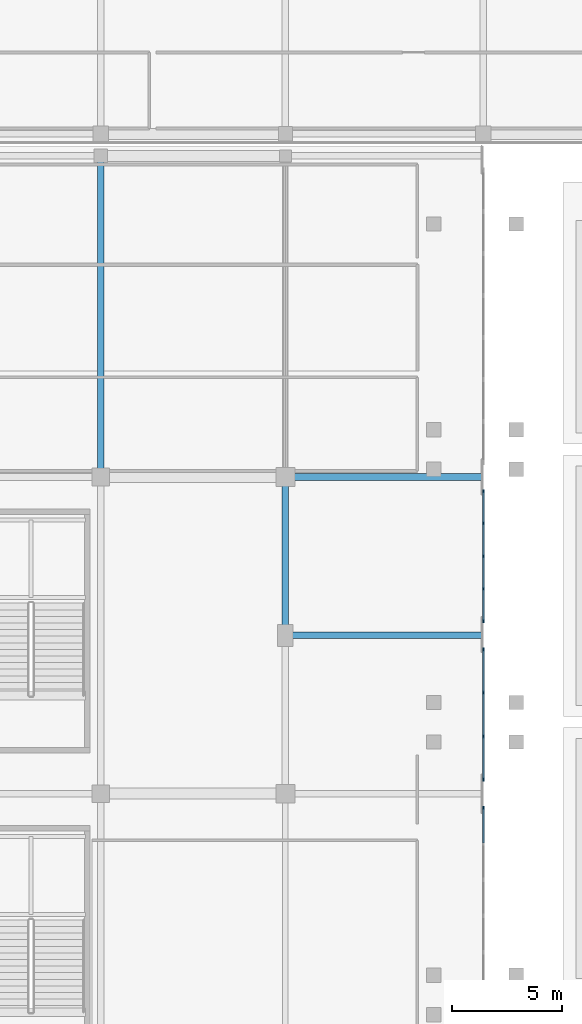
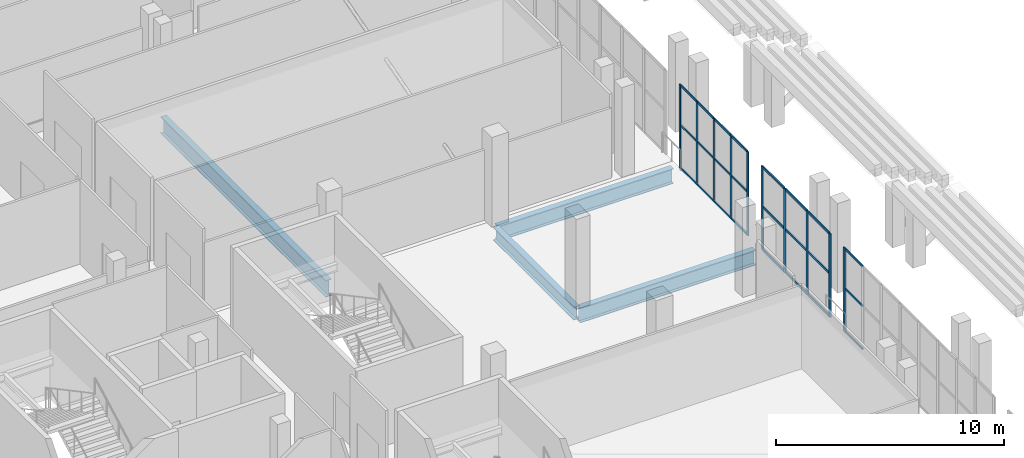
# One storey, part 36 of 142: 34 members, 4 beams, 3 elements without a shape of their own.
"""IFC4 building model written with IfcOpenShell, lengths in metres."""

from ifc_helpers import new_model, si_unit, direction, frame, origin, origin_2d, place, context, subcontext, project, spatial, rectangle, i_section, extrude, material, material_profile, profile_set, type_object, element, aggregate, save


model = new_model("IFC4")

# Units and contexts
model_context = context("Model", 3, precision=1e-05, world=origin(), true_north=direction((0.0, 1.0)))
body_context = subcontext(model_context, "Body", "Model", "MODEL_VIEW")
ifc_project = project(units=[si_unit("LENGTHUNIT", "METRE"), si_unit("AREAUNIT", "SQUARE_METRE"), si_unit("VOLUMEUNIT", "CUBIC_METRE"), si_unit("PLANEANGLEUNIT", "RADIAN"), si_unit("MASSUNIT", "GRAM", prefix="KILO")], contexts=[model_context])

# Site, building, storey
site_placement = place(None, origin())
site = spatial("IfcSite", under=ifc_project, at=site_placement, CompositionType="ELEMENT")
building_placement = place(site_placement, origin())
building = spatial("IfcBuilding", under=site, at=building_placement, Name="Koshinbarg Plaza Stadium", CompositionType="ELEMENT")
storey_placement = place(building_placement, frame((0.0, 0.0, 10.199951171875)))
storey = spatial("IfcBuildingStorey", under=building, at=storey_placement, Name="L02", CompositionType="ELEMENT", Elevation=10.199951171875)

# Beams
ifc_material_1 = material(Name="Steel S355", Category="steel")
ifc_material_profile_1 = material_profile(ifc_material_1, i_section(OverallWidth=0.300048828125, OverallDepth=0.699951171875, WebThickness=0.01708984375, FlangeThickness=0.031982421875, at=origin_2d()), Name="HEB 700")
ifc_profile_set_1 = profile_set([ifc_material_profile_1], Name="Steel S355")
beam_type_1 = type_object("IfcBeamType", Name="BM-SGIR-03", PredefinedType="USERDEFINED", material=ifc_profile_set_1)
beam_1_placement = place(storey_placement, frame((54.60009765625, 104.760009765625, -0.64990234375), z_axis=(0.0, 1.0, 0.0), x_axis=(-1.0, 0.0, 0.0)))
element("IfcBeam", 1, at=beam_1_placement, inside=storey, type_object=beam_type_1, Name="L02 Y girder 8/P-Q", ObjectType="GIRDER", PredefinedType="USERDEFINED", context=body_context, shape_type="SweptSolid", body=[
    extrude(i_section(OverallWidth=0.300048828125, OverallDepth=0.699951171875, WebThickness=0.01708984375, FlangeThickness=0.031982421875, at=origin_2d()), origin(), (0.0, 0.0, 1.0), 7.080078125),
])
ifc_material_profile_2 = material_profile(ifc_material_1, i_section(OverallWidth=0.300048828125, OverallDepth=0.800048828125, WebThickness=0.017578125, FlangeThickness=0.032958984375, at=origin_2d()), Name="HEB 800")
ifc_profile_set_2 = profile_set([ifc_material_profile_2], Name="Steel S355")
beam_type_2 = type_object("IfcBeamType", Name="BM-SGIR-04", PredefinedType="USERDEFINED", material=ifc_profile_set_2)
for number, where, z_axis, x_axis, name in (
    (2, (54.659912109375, 104.699951171875, -0.699951171875), (1.0, 0.0, 0.0), (0.0, 1.0, 0.0), "L02 X girder P/8-9"),
    (3, (54.659912109375, 111.89990234375, -0.699951171875), (1.0, 0.0, 0.0), (0.0, 1.0, 0.0), "L02 X girder Q/8-9"),
):
    element("IfcBeam", number, at=place(storey_placement, frame(where, z_axis=z_axis, x_axis=x_axis)), inside=storey, type_object=beam_type_2, Name=name, ObjectType="GIRDER", PredefinedType="USERDEFINED", context=body_context, shape_type="SweptSolid", body=[
        extrude(i_section(OverallWidth=0.300048828125, OverallDepth=0.800048828125, WebThickness=0.017578125, FlangeThickness=0.032958984375, at=origin_2d()), origin(), (0.0, 0.0, 1.0), 8.880126953125),
    ])
ifc_material_profile_3 = material_profile(ifc_material_1, i_section(OverallWidth=0.300048828125, OverallDepth=0.89990234375, WebThickness=0.0185546875, FlangeThickness=0.034912109375, at=origin_2d()), Name="HEB 900")
ifc_profile_set_3 = profile_set([ifc_material_profile_3], Name="Steel S355")
beam_type_3 = type_object("IfcBeamType", Name="BM-SGIR-05", PredefinedType="USERDEFINED", material=ifc_profile_set_3)
beam_2_placement = place(storey_placement, frame((46.199951171875, 111.9599609375, -0.75), z_axis=(0.0, 1.0, 0.0), x_axis=(-1.0, 0.0, 0.0)))
element("IfcBeam", 4, at=beam_2_placement, inside=storey, type_object=beam_type_3, Name="L02 Y girder 7/Q-R", ObjectType="GIRDER", PredefinedType="USERDEFINED", context=body_context, shape_type="SweptSolid", body=[
    extrude(i_section(OverallWidth=0.300048828125, OverallDepth=0.89990234375, WebThickness=0.0185546875, FlangeThickness=0.034912109375, at=origin_2d()), origin(), (0.0, 0.0, 1.0), 14.47998046875),
])

# Curtain wall, members
ifc_material_2 = material(Name="Thermally broken anodised aluminium and low-E double glazing", Category="aluminium")
curtain_wall_type_1 = type_object("IfcCurtainWallType", Name="CW-SYS-09", PredefinedType="NOTDEFINED", material=ifc_material_2)
curtain_wall_1_placement = place(storey_placement, origin())
curtain_wall_1 = element("IfcCurtainWall", 5, at=curtain_wall_1_placement, inside=storey, type_object=curtain_wall_type_1, Name="L02 unitised curtain wall CW-L02-072", PredefinedType="NOTDEFINED")
ifc_material_3 = material(Name="Anodised aluminium mullion", Category="aluminium")
ifc_material_profile_4 = material_profile(ifc_material_3, rectangle(XDim=0.06005859375, YDim=0.139892578125, at=origin_2d()), Name="ALU 60x140")
ifc_profile_set_4 = profile_set([ifc_material_profile_4], Name="Anodised aluminium mullion")
member_type_1 = type_object("IfcMemberType", Name="CW-MUL-01", PredefinedType="MULLION", material=ifc_profile_set_4)
member_1_placement = place(storey_placement, frame((63.60009765625, 111.25, 0.0), z_axis=(0.0, 0.0, 1.0), x_axis=(1.0, 0.0, 0.0)))
member_1 = element("IfcMember", 6, at=member_1_placement, type_object=member_type_1, Name="CW09 mullion 1", PredefinedType="MULLION", context=body_context, shape_type="SweptSolid", body=[
    extrude(rectangle(XDim=0.06005859375, YDim=0.139892578125, at=origin_2d()), origin(), (0.0, 0.0, 1.0), 4.47998046875),
])
member_2_placement = place(storey_placement, frame((63.60009765625, 109.7900390625, 0.0), z_axis=(0.0, 0.0, 1.0), x_axis=(1.0, 0.0, 0.0)))
member_2 = element("IfcMember", 7, at=member_2_placement, type_object=member_type_1, Name="CW09 mullion 2", PredefinedType="MULLION", context=body_context, shape_type="SweptSolid", body=[
    extrude(rectangle(XDim=0.06005859375, YDim=0.139892578125, at=origin_2d()), origin(), (0.0, 0.0, 1.0), 4.47998046875),
])
member_3_placement = place(storey_placement, frame((63.60009765625, 108.300048828125, 0.0), z_axis=(0.0, 0.0, 1.0), x_axis=(1.0, 0.0, 0.0)))
member_3 = element("IfcMember", 8, at=member_3_placement, type_object=member_type_1, Name="CW09 mullion 3", PredefinedType="MULLION", context=body_context, shape_type="SweptSolid", body=[
    extrude(rectangle(XDim=0.06005859375, YDim=0.139892578125, at=origin_2d()), origin(), (0.0, 0.0, 1.0), 4.47998046875),
])
member_4_placement = place(storey_placement, frame((63.60009765625, 106.81005859375, 0.0), z_axis=(0.0, 0.0, 1.0), x_axis=(1.0, 0.0, 0.0)))
member_4 = element("IfcMember", 9, at=member_4_placement, type_object=member_type_1, Name="CW09 mullion 4", PredefinedType="MULLION", context=body_context, shape_type="SweptSolid", body=[
    extrude(rectangle(XDim=0.06005859375, YDim=0.139892578125, at=origin_2d()), origin(), (0.0, 0.0, 1.0), 4.47998046875),
])
member_5_placement = place(storey_placement, frame((63.60009765625, 105.35009765625, 0.0), z_axis=(0.0, 0.0, 1.0), x_axis=(1.0, 0.0, 0.0)))
member_5 = element("IfcMember", 10, at=member_5_placement, type_object=member_type_1, Name="CW09 mullion 5", PredefinedType="MULLION", context=body_context, shape_type="SweptSolid", body=[
    extrude(rectangle(XDim=0.06005859375, YDim=0.139892578125, at=origin_2d()), origin(), (0.0, 0.0, 1.0), 4.47998046875),
])

curtain_wall_type_2 = type_object("IfcCurtainWallType", Name="CW-SYS-10", PredefinedType="NOTDEFINED", material=ifc_material_2)
curtain_wall_2_placement = place(storey_placement, origin())
curtain_wall_2 = element("IfcCurtainWall", 11, at=curtain_wall_2_placement, inside=storey, type_object=curtain_wall_type_2, Name="L02 unitised curtain wall CW-L02-073", PredefinedType="NOTDEFINED")
ifc_material_profile_5 = material_profile(ifc_material_3, rectangle(XDim=0.06005859375, YDim=0.159912109375, at=origin_2d()), Name="ALU 60x160")
ifc_profile_set_5 = profile_set([ifc_material_profile_5], Name="Anodised aluminium mullion")
member_type_2 = type_object("IfcMemberType", Name="CW-MUL-02", PredefinedType="MULLION", material=ifc_profile_set_5)
member_6_placement = place(storey_placement, frame((63.60009765625, 104.050048828125, 0.0), z_axis=(0.0, 0.0, 1.0), x_axis=(1.0, 0.0, 0.0)))
member_6 = element("IfcMember", 12, at=member_6_placement, type_object=member_type_2, Name="CW10 mullion 1", PredefinedType="MULLION", context=body_context, shape_type="SweptSolid", body=[
    extrude(rectangle(XDim=0.06005859375, YDim=0.159912109375, at=origin_2d()), origin(), (0.0, 0.0, 1.0), 4.47998046875),
])
member_7_placement = place(storey_placement, frame((63.60009765625, 102.09326171875, 0.0), z_axis=(0.0, 0.0, 1.0), x_axis=(1.0, 0.0, 0.0)))
member_7 = element("IfcMember", 13, at=member_7_placement, type_object=member_type_2, Name="CW10 mullion 2", PredefinedType="MULLION", context=body_context, shape_type="SweptSolid", body=[
    extrude(rectangle(XDim=0.06005859375, YDim=0.159912109375, at=origin_2d()), origin(), (0.0, 0.0, 1.0), 4.47998046875),
])
member_8_placement = place(storey_placement, frame((63.60009765625, 100.106689453125, 0.0), z_axis=(0.0, 0.0, 1.0), x_axis=(1.0, 0.0, 0.0)))
member_8 = element("IfcMember", 14, at=member_8_placement, type_object=member_type_2, Name="CW10 mullion 3", PredefinedType="MULLION", context=body_context, shape_type="SweptSolid", body=[
    extrude(rectangle(XDim=0.06005859375, YDim=0.159912109375, at=origin_2d()), origin(), (0.0, 0.0, 1.0), 4.47998046875),
])
member_9_placement = place(storey_placement, frame((63.60009765625, 98.14990234375, 0.0), z_axis=(0.0, 0.0, 1.0), x_axis=(1.0, 0.0, 0.0)))
member_9 = element("IfcMember", 15, at=member_9_placement, type_object=member_type_2, Name="CW10 mullion 4", PredefinedType="MULLION", context=body_context, shape_type="SweptSolid", body=[
    extrude(rectangle(XDim=0.06005859375, YDim=0.159912109375, at=origin_2d()), origin(), (0.0, 0.0, 1.0), 4.47998046875),
])

# Curtain wall, member
curtain_wall_type_3 = type_object("IfcCurtainWallType", Name="CW-SYS-11", PredefinedType="NOTDEFINED", material=ifc_material_2)
curtain_wall_3_placement = place(storey_placement, origin())
curtain_wall_3 = element("IfcCurtainWall", 16, at=curtain_wall_3_placement, inside=storey, type_object=curtain_wall_type_3, Name="L02 unitised curtain wall CW-L02-074", PredefinedType="NOTDEFINED")
ifc_material_profile_6 = material_profile(ifc_material_3, rectangle(XDim=0.070068359375, YDim=0.179931640625, at=origin_2d()), Name="ALU 70x180")
ifc_profile_set_6 = profile_set([ifc_material_profile_6], Name="Anodised aluminium mullion")
member_type_3 = type_object("IfcMemberType", Name="CW-MUL-03", PredefinedType="MULLION", material=ifc_profile_set_6)
member_10_placement = place(storey_placement, frame((63.60009765625, 96.85009765625, 0.0), z_axis=(0.0, 0.0, 1.0), x_axis=(1.0, 0.0, 0.0)))
member_10 = element("IfcMember", 17, at=member_10_placement, type_object=member_type_3, Name="CW11 mullion 1", PredefinedType="MULLION", context=body_context, shape_type="SweptSolid", body=[
    extrude(rectangle(XDim=0.070068359375, YDim=0.179931640625, at=origin_2d()), origin(), (0.0, 0.0, 1.0), 4.47998046875),
])

# Member
ifc_material_4 = material(Name="Anodised aluminium transom", Category="aluminium")
ifc_material_profile_7 = material_profile(ifc_material_4, rectangle(XDim=0.06005859375, YDim=0.110107421875, at=origin_2d()), Name="ALU 60x110")
ifc_profile_set_7 = profile_set([ifc_material_profile_7], Name="Anodised aluminium transom")
member_type_4 = type_object("IfcMemberType", Name="CW-TRN-01", PredefinedType="USERDEFINED", material=ifc_profile_set_7)
member_11_placement = place(storey_placement, frame((63.60009765625, 111.219970703125, 0.030029296875), z_axis=(0.0, -1.0, 0.0), x_axis=(1.0, 0.0, 0.0)))
member_11 = element("IfcMember", 18, at=member_11_placement, type_object=member_type_4, Name="CW09 transom 1.1", ObjectType="TRANSOM", PredefinedType="USERDEFINED", context=body_context, shape_type="SweptSolid", body=[
    extrude(rectangle(XDim=0.06005859375, YDim=0.110107421875, at=origin_2d()), origin(), (0.0, 0.0, 1.0), 1.39990234375),
])

member_12_placement = place(storey_placement, frame((63.60009765625, 111.219970703125, 2.32958984375), z_axis=(0.0, -1.0, 0.0), x_axis=(1.0, 0.0, 0.0)))
member_12 = element("IfcMember", 19, at=member_12_placement, type_object=member_type_4, Name="CW09 transom 1.2", ObjectType="TRANSOM", PredefinedType="USERDEFINED", context=body_context, shape_type="SweptSolid", body=[
    extrude(rectangle(XDim=0.06005859375, YDim=0.110107421875, at=origin_2d()), origin(), (0.0, 0.0, 1.0), 1.39990234375),
])

member_13_placement = place(storey_placement, frame((63.60009765625, 111.219970703125, 4.449951171875), z_axis=(0.0, -1.0, 0.0), x_axis=(1.0, 0.0, 0.0)))
member_13 = element("IfcMember", 20, at=member_13_placement, type_object=member_type_4, Name="CW09 transom 1.3", ObjectType="TRANSOM", PredefinedType="USERDEFINED", context=body_context, shape_type="SweptSolid", body=[
    extrude(rectangle(XDim=0.06005859375, YDim=0.110107421875, at=origin_2d()), origin(), (0.0, 0.0, 1.0), 1.39990234375),
])

member_14_placement = place(storey_placement, frame((63.60009765625, 109.760009765625, 0.030029296875), z_axis=(0.0, -1.0, 0.0), x_axis=(1.0, 0.0, 0.0)))
member_14 = element("IfcMember", 21, at=member_14_placement, type_object=member_type_4, Name="CW09 transom 2.1", ObjectType="TRANSOM", PredefinedType="USERDEFINED", context=body_context, shape_type="SweptSolid", body=[
    extrude(rectangle(XDim=0.06005859375, YDim=0.110107421875, at=origin_2d()), origin(), (0.0, 0.0, 1.0), 1.429931640625),
])

member_15_placement = place(storey_placement, frame((63.60009765625, 109.760009765625, 2.32958984375), z_axis=(0.0, -1.0, 0.0), x_axis=(1.0, 0.0, 0.0)))
member_15 = element("IfcMember", 22, at=member_15_placement, type_object=member_type_4, Name="CW09 transom 2.2", ObjectType="TRANSOM", PredefinedType="USERDEFINED", context=body_context, shape_type="SweptSolid", body=[
    extrude(rectangle(XDim=0.06005859375, YDim=0.110107421875, at=origin_2d()), origin(), (0.0, 0.0, 1.0), 1.429931640625),
])

member_16_placement = place(storey_placement, frame((63.60009765625, 109.760009765625, 4.449951171875), z_axis=(0.0, -1.0, 0.0), x_axis=(1.0, 0.0, 0.0)))
member_16 = element("IfcMember", 23, at=member_16_placement, type_object=member_type_4, Name="CW09 transom 2.3", ObjectType="TRANSOM", PredefinedType="USERDEFINED", context=body_context, shape_type="SweptSolid", body=[
    extrude(rectangle(XDim=0.06005859375, YDim=0.110107421875, at=origin_2d()), origin(), (0.0, 0.0, 1.0), 1.429931640625),
])

member_17_placement = place(storey_placement, frame((63.60009765625, 108.27001953125, 0.030029296875), z_axis=(0.0, -1.0, 0.0), x_axis=(1.0, 0.0, 0.0)))
member_17 = element("IfcMember", 24, at=member_17_placement, type_object=member_type_4, Name="CW09 transom 3.1", ObjectType="TRANSOM", PredefinedType="USERDEFINED", context=body_context, shape_type="SweptSolid", body=[
    extrude(rectangle(XDim=0.06005859375, YDim=0.110107421875, at=origin_2d()), origin(), (0.0, 0.0, 1.0), 1.429931640625),
])

member_18_placement = place(storey_placement, frame((63.60009765625, 108.27001953125, 2.32958984375), z_axis=(0.0, -1.0, 0.0), x_axis=(1.0, 0.0, 0.0)))
member_18 = element("IfcMember", 25, at=member_18_placement, type_object=member_type_4, Name="CW09 transom 3.2", ObjectType="TRANSOM", PredefinedType="USERDEFINED", context=body_context, shape_type="SweptSolid", body=[
    extrude(rectangle(XDim=0.06005859375, YDim=0.110107421875, at=origin_2d()), origin(), (0.0, 0.0, 1.0), 1.429931640625),
])

member_19_placement = place(storey_placement, frame((63.60009765625, 108.27001953125, 4.449951171875), z_axis=(0.0, -1.0, 0.0), x_axis=(1.0, 0.0, 0.0)))
member_19 = element("IfcMember", 26, at=member_19_placement, type_object=member_type_4, Name="CW09 transom 3.3", ObjectType="TRANSOM", PredefinedType="USERDEFINED", context=body_context, shape_type="SweptSolid", body=[
    extrude(rectangle(XDim=0.06005859375, YDim=0.110107421875, at=origin_2d()), origin(), (0.0, 0.0, 1.0), 1.429931640625),
])

member_20_placement = place(storey_placement, frame((63.60009765625, 106.780029296875, 0.030029296875), z_axis=(0.0, -1.0, 0.0), x_axis=(1.0, 0.0, 0.0)))
member_20 = element("IfcMember", 27, at=member_20_placement, type_object=member_type_4, Name="CW09 transom 4.1", ObjectType="TRANSOM", PredefinedType="USERDEFINED", context=body_context, shape_type="SweptSolid", body=[
    extrude(rectangle(XDim=0.06005859375, YDim=0.110107421875, at=origin_2d()), origin(), (0.0, 0.0, 1.0), 1.400146484375),
])

member_21_placement = place(storey_placement, frame((63.60009765625, 106.780029296875, 2.32958984375), z_axis=(0.0, -1.0, 0.0), x_axis=(1.0, 0.0, 0.0)))
member_21 = element("IfcMember", 28, at=member_21_placement, type_object=member_type_4, Name="CW09 transom 4.2", ObjectType="TRANSOM", PredefinedType="USERDEFINED", context=body_context, shape_type="SweptSolid", body=[
    extrude(rectangle(XDim=0.06005859375, YDim=0.110107421875, at=origin_2d()), origin(), (0.0, 0.0, 1.0), 1.400146484375),
])

member_22_placement = place(storey_placement, frame((63.60009765625, 106.780029296875, 4.449951171875), z_axis=(0.0, -1.0, 0.0), x_axis=(1.0, 0.0, 0.0)))
member_22 = element("IfcMember", 29, at=member_22_placement, type_object=member_type_4, Name="CW09 transom 4.3", ObjectType="TRANSOM", PredefinedType="USERDEFINED", context=body_context, shape_type="SweptSolid", body=[
    extrude(rectangle(XDim=0.06005859375, YDim=0.110107421875, at=origin_2d()), origin(), (0.0, 0.0, 1.0), 1.400146484375),
])

aggregate(curtain_wall_1, [member_1, member_2, member_3, member_4, member_5, member_11, member_12, member_13, member_14, member_15, member_16, member_17, member_18, member_19, member_20, member_21, member_22])

member_23_placement = place(storey_placement, frame((63.60009765625, 96.820068359375, 0.030029296875), z_axis=(0.0, -1.0, 0.0), x_axis=(1.0, 0.0, 0.0)))
member_23 = element("IfcMember", 30, at=member_23_placement, type_object=member_type_4, Name="CW11 transom 1.1", ObjectType="TRANSOM", PredefinedType="USERDEFINED", context=body_context, shape_type="SweptSolid", body=[
    extrude(rectangle(XDim=0.06005859375, YDim=0.110107421875, at=origin_2d()), origin(), (0.0, 0.0, 1.0), 1.55517578125),
])

member_24_placement = place(storey_placement, frame((63.60009765625, 96.820068359375, 2.32958984375), z_axis=(0.0, -1.0, 0.0), x_axis=(1.0, 0.0, 0.0)))
member_24 = element("IfcMember", 31, at=member_24_placement, type_object=member_type_4, Name="CW11 transom 1.2", ObjectType="TRANSOM", PredefinedType="USERDEFINED", context=body_context, shape_type="SweptSolid", body=[
    extrude(rectangle(XDim=0.06005859375, YDim=0.110107421875, at=origin_2d()), origin(), (0.0, 0.0, 1.0), 1.55517578125),
])

member_25_placement = place(storey_placement, frame((63.60009765625, 96.820068359375, 4.449951171875), z_axis=(0.0, -1.0, 0.0), x_axis=(1.0, 0.0, 0.0)))
member_25 = element("IfcMember", 32, at=member_25_placement, type_object=member_type_4, Name="CW11 transom 1.3", ObjectType="TRANSOM", PredefinedType="USERDEFINED", context=body_context, shape_type="SweptSolid", body=[
    extrude(rectangle(XDim=0.06005859375, YDim=0.110107421875, at=origin_2d()), origin(), (0.0, 0.0, 1.0), 1.55517578125),
])

aggregate(curtain_wall_3, [member_10, member_23, member_24, member_25])

ifc_material_profile_8 = material_profile(ifc_material_4, rectangle(XDim=0.06005859375, YDim=0.1298828125, at=origin_2d()), Name="ALU 60x130")
ifc_profile_set_8 = profile_set([ifc_material_profile_8], Name="Anodised aluminium transom")
member_type_5 = type_object("IfcMemberType", Name="CW-TRN-02", PredefinedType="USERDEFINED", material=ifc_profile_set_8)
member_26_placement = place(storey_placement, frame((63.60009765625, 104.02001953125, 0.030029296875), z_axis=(0.0, -1.0, 0.0), x_axis=(1.0, 0.0, 0.0)))
member_26 = element("IfcMember", 33, at=member_26_placement, type_object=member_type_5, Name="CW10 transom 1.1", ObjectType="TRANSOM", PredefinedType="USERDEFINED", context=body_context, shape_type="SweptSolid", body=[
    extrude(rectangle(XDim=0.06005859375, YDim=0.1298828125, at=origin_2d()), origin(), (0.0, 0.0, 1.0), 1.896728515625),
])

member_27_placement = place(storey_placement, frame((63.60009765625, 104.02001953125, 2.32958984375), z_axis=(0.0, -1.0, 0.0), x_axis=(1.0, 0.0, 0.0)))
member_27 = element("IfcMember", 34, at=member_27_placement, type_object=member_type_5, Name="CW10 transom 1.2", ObjectType="TRANSOM", PredefinedType="USERDEFINED", context=body_context, shape_type="SweptSolid", body=[
    extrude(rectangle(XDim=0.06005859375, YDim=0.1298828125, at=origin_2d()), origin(), (0.0, 0.0, 1.0), 1.896728515625),
])

member_28_placement = place(storey_placement, frame((63.60009765625, 104.02001953125, 4.449951171875), z_axis=(0.0, -1.0, 0.0), x_axis=(1.0, 0.0, 0.0)))
member_28 = element("IfcMember", 35, at=member_28_placement, type_object=member_type_5, Name="CW10 transom 1.3", ObjectType="TRANSOM", PredefinedType="USERDEFINED", context=body_context, shape_type="SweptSolid", body=[
    extrude(rectangle(XDim=0.06005859375, YDim=0.1298828125, at=origin_2d()), origin(), (0.0, 0.0, 1.0), 1.896728515625),
])

member_29_placement = place(storey_placement, frame((63.60009765625, 102.063232421875, 0.030029296875), z_axis=(0.0, -1.0, 0.0), x_axis=(1.0, 0.0, 0.0)))
member_29 = element("IfcMember", 36, at=member_29_placement, type_object=member_type_5, Name="CW10 transom 2.1", ObjectType="TRANSOM", PredefinedType="USERDEFINED", context=body_context, shape_type="SweptSolid", body=[
    extrude(rectangle(XDim=0.06005859375, YDim=0.1298828125, at=origin_2d()), origin(), (0.0, 0.0, 1.0), 1.926513671875),
])

member_30_placement = place(storey_placement, frame((63.60009765625, 102.063232421875, 2.32958984375), z_axis=(0.0, -1.0, 0.0), x_axis=(1.0, 0.0, 0.0)))
member_30 = element("IfcMember", 37, at=member_30_placement, type_object=member_type_5, Name="CW10 transom 2.2", ObjectType="TRANSOM", PredefinedType="USERDEFINED", context=body_context, shape_type="SweptSolid", body=[
    extrude(rectangle(XDim=0.06005859375, YDim=0.1298828125, at=origin_2d()), origin(), (0.0, 0.0, 1.0), 1.926513671875),
])

member_31_placement = place(storey_placement, frame((63.60009765625, 102.063232421875, 4.449951171875), z_axis=(0.0, -1.0, 0.0), x_axis=(1.0, 0.0, 0.0)))
member_31 = element("IfcMember", 38, at=member_31_placement, type_object=member_type_5, Name="CW10 transom 2.3", ObjectType="TRANSOM", PredefinedType="USERDEFINED", context=body_context, shape_type="SweptSolid", body=[
    extrude(rectangle(XDim=0.06005859375, YDim=0.1298828125, at=origin_2d()), origin(), (0.0, 0.0, 1.0), 1.926513671875),
])

member_32_placement = place(storey_placement, frame((63.60009765625, 100.07666015625, 0.030029296875), z_axis=(0.0, -1.0, 0.0), x_axis=(1.0, 0.0, 0.0)))
member_32 = element("IfcMember", 39, at=member_32_placement, type_object=member_type_5, Name="CW10 transom 3.1", ObjectType="TRANSOM", PredefinedType="USERDEFINED", context=body_context, shape_type="SweptSolid", body=[
    extrude(rectangle(XDim=0.06005859375, YDim=0.1298828125, at=origin_2d()), origin(), (0.0, 0.0, 1.0), 1.896728515625),
])

member_33_placement = place(storey_placement, frame((63.60009765625, 100.07666015625, 2.32958984375), z_axis=(0.0, -1.0, 0.0), x_axis=(1.0, 0.0, 0.0)))
member_33 = element("IfcMember", 40, at=member_33_placement, type_object=member_type_5, Name="CW10 transom 3.2", ObjectType="TRANSOM", PredefinedType="USERDEFINED", context=body_context, shape_type="SweptSolid", body=[
    extrude(rectangle(XDim=0.06005859375, YDim=0.1298828125, at=origin_2d()), origin(), (0.0, 0.0, 1.0), 1.896728515625),
])

member_34_placement = place(storey_placement, frame((63.60009765625, 100.07666015625, 4.449951171875), z_axis=(0.0, -1.0, 0.0), x_axis=(1.0, 0.0, 0.0)))
member_34 = element("IfcMember", 41, at=member_34_placement, type_object=member_type_5, Name="CW10 transom 3.3", ObjectType="TRANSOM", PredefinedType="USERDEFINED", context=body_context, shape_type="SweptSolid", body=[
    extrude(rectangle(XDim=0.06005859375, YDim=0.1298828125, at=origin_2d()), origin(), (0.0, 0.0, 1.0), 1.896728515625),
])

aggregate(curtain_wall_2, [member_6, member_7, member_8, member_9, member_26, member_27, member_28, member_29, member_30, member_31, member_32, member_33, member_34])

save(model, "model.ifc")
